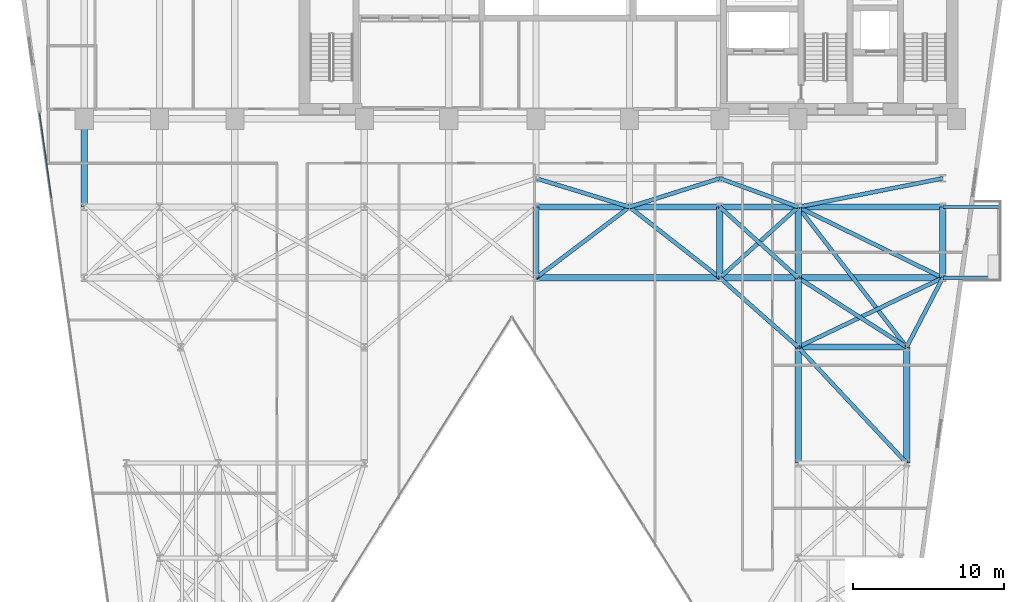
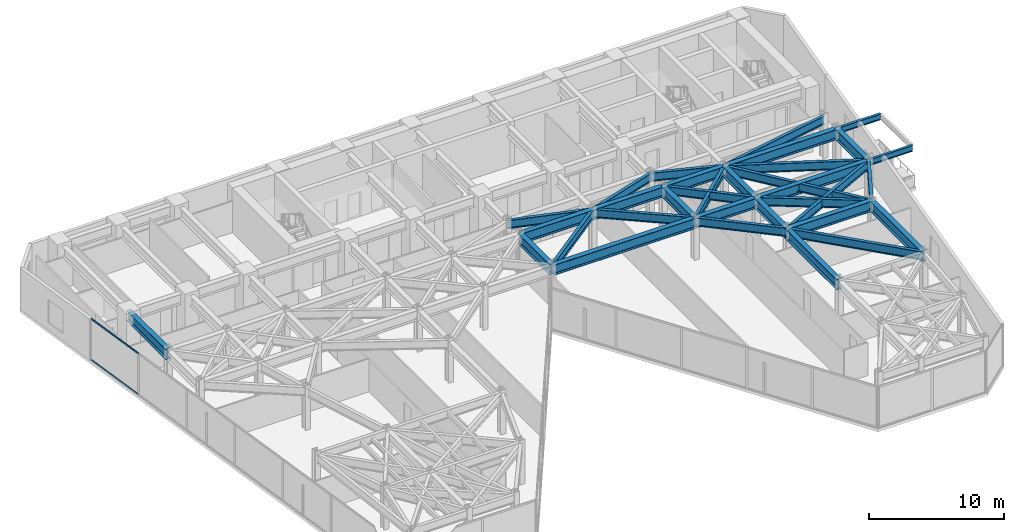
# One storey, part 16 of 24: 33 beams, 2 members, 1 element without a shape of its own.
"""IFC4 building model written with IfcOpenShell, lengths in metres."""

import ifcopenshell
import ifcopenshell.guid

model = None  # the IFC model being written
_history = None  # IfcOwnerHistory: only IFC2X3 demands one
_inside = {}  # id of a spatial element -> (the spatial element, [elements in it])
_under = {}  # id of a project, library or spatial element -> (it, [spatial elements below it])
_declared = {}  # id of a project -> (the project, [libraries it declares])
_typed = {}  # id of a type object -> (the type object, [elements of that type])
_made_of = {}  # id of a material, layer set ... -> (it, [elements and type objects made of it])


def new_model(schema):
    """Start an empty IFC model of exactly this schema.

    Asked for "IFC4X3", IfcOpenShell would pick the latest addendum, in which some entities
    have other attributes; the version numbers below select the first issue.
    IFC2X3 requires an IfcOwnerHistory on every rooted entity: one is made here for all.
    """
    global model, _history
    if schema == "IFC4X3":
        model = ifcopenshell.file(schema_version=(4, 3, 0, 0))
    else:
        model = ifcopenshell.file(schema=schema)
    _inside.clear()
    _under.clear()
    _declared.clear()
    _typed.clear()
    _made_of.clear()
    _history = None
    if model.schema == "IFC2X3":
        org = make("IfcOrganization", Name="unknown")
        user = make(
            "IfcPersonAndOrganization",
            ThePerson=make("IfcPerson", FamilyName="unknown"),
            TheOrganization=org,
        )
        app = make(
            "IfcApplication",
            ApplicationDeveloper=org,
            Version="unknown",
            ApplicationFullName="unknown",
            ApplicationIdentifier="unknown",
        )
        _history = make(
            "IfcOwnerHistory",
            OwningUser=user,
            OwningApplication=app,
            ChangeAction="ADDED",
            CreationDate=0,
        )
    return model


def make(cls, **values):
    """One entity of the class cls with the attributes given. An attribute that is None is left unset."""
    return model.create_entity(
        cls, **{name: value for name, value in values.items() if value is not None}
    )


def rooted(cls, **values):
    """An entity with a GlobalId (a new one), such as an element, a storey or a relation."""
    return make(cls, GlobalId=ifcopenshell.guid.new(), OwnerHistory=_history, **values)


def si_unit(unit_type, name, prefix=None):
    """IfcSIUnit, for example si_unit("LENGTHUNIT", "METRE", prefix="MILLI")."""
    return make("IfcSIUnit", UnitType=unit_type, Prefix=prefix, Name=name)


def assignment(units):
    """IfcUnitAssignment: the units of a project."""
    return None if units is None else make("IfcUnitAssignment", Units=units)


def point(xyz):
    """IfcCartesianPoint."""
    return None if xyz is None else make("IfcCartesianPoint", Coordinates=xyz)


def direction(xyz):
    """IfcDirection."""
    return None if xyz is None else make("IfcDirection", DirectionRatios=xyz)


def frame(location, z_axis=None, x_axis=None):
    """IfcAxis2Placement3D, a coordinate frame: its origin and axes. An axis left out is left unset."""
    return make(
        "IfcAxis2Placement3D",
        Location=point(location),
        Axis=direction(z_axis),
        RefDirection=direction(x_axis),
    )


def frame_2d(location, x_axis=None):
    """IfcAxis2Placement2D, a coordinate frame in the plane: its origin and x axis."""
    return make(
        "IfcAxis2Placement2D", Location=point(location), RefDirection=direction(x_axis)
    )


def origin():
    """The frame at (0, 0, 0) with its axes left unset."""
    return frame((0.0, 0.0, 0.0))


def origin_2d():
    """The frame at (0, 0) in the plane with its x axis left unset."""
    return frame_2d((0.0, 0.0))


def place(relative_to, where):
    """IfcLocalPlacement: puts the frame where relative to a parent placement (None: the world)."""
    return make(
        "IfcLocalPlacement", PlacementRelTo=relative_to, RelativePlacement=where
    )


def context(
    kind, dimensions, precision=None, world=None, true_north=None, identifier=None
):
    """IfcGeometricRepresentationContext, for example the 3D "Model" context."""
    return make(
        "IfcGeometricRepresentationContext",
        ContextIdentifier=identifier,
        ContextType=kind,
        CoordinateSpaceDimension=dimensions,
        Precision=precision,
        WorldCoordinateSystem=world,
        TrueNorth=true_north,
    )


def subcontext(parent, identifier, kind, view, scale=None):
    """IfcGeometricRepresentationSubContext, for example "Body" below "Model"."""
    return make(
        "IfcGeometricRepresentationSubContext",
        ContextIdentifier=identifier,
        ContextType=kind,
        ParentContext=parent,
        TargetScale=scale,
        TargetView=view,
    )


def project(units=None, contexts=None):
    """IfcProject with its units and contexts."""
    return rooted(
        "IfcProject",
        Name="project",
        RepresentationContexts=contexts,
        UnitsInContext=assignment(units),
    )


def spatial(cls, under=None, at=None, **own):
    """A site, building, storey or space (cls), placed at a placement, below another one or the project."""
    s = rooted(cls, ObjectPlacement=at, **own)
    if under is not None:
        _under.setdefault(under.id(), (under, []))[1].append(s)
    return s


def profile(cls, at=None, kind="AREA", **sizes):
    """A parametric profile (cls). Its sizes go by their IFC names, for example OverallWidth=200.0."""
    return make(cls, ProfileType=kind, Position=at, **sizes)


def hollow_rectangle(**sizes):
    """IfcRectangleHollowProfileDef."""
    return profile("IfcRectangleHollowProfileDef", **sizes)


def i_section(**sizes):
    """IfcIShapeProfileDef."""
    return profile("IfcIShapeProfileDef", **sizes)


def extrude(swept, where, along, depth):
    """IfcExtrudedAreaSolid: the profile swept, set in the frame where, extruded along a direction by depth."""
    return make(
        "IfcExtrudedAreaSolid",
        SweptArea=swept,
        Position=where,
        ExtrudedDirection=direction(along),
        Depth=depth,
    )


def shape(context_of_items, identifier, shape_type, items):
    """IfcShapeRepresentation: the items that make up one representation, for example the "Body"."""
    return make(
        "IfcShapeRepresentation",
        ContextOfItems=context_of_items,
        RepresentationIdentifier=identifier,
        RepresentationType=shape_type,
        Items=items,
    )


def material(Name=None, Category=None):
    """IfcMaterial."""
    return make("IfcMaterial", Name=Name, Category=Category)


def layer(
    of_material, thickness, ventilated=None, Name=None, Category=None, Priority=None
):
    """IfcMaterialLayer: one layer of a wall or slab, of a material (None: an air gap)."""
    return make(
        "IfcMaterialLayer",
        Material=of_material,
        LayerThickness=thickness,
        IsVentilated=ventilated,
        Name=Name,
        Category=Category,
        Priority=Priority,
    )


def layer_set(layers, Name=None):
    """IfcMaterialLayerSet."""
    return make("IfcMaterialLayerSet", MaterialLayers=layers, LayerSetName=Name)


def material_profile(
    of_material, cross_section, Name=None, Category=None, Priority=None
):
    """IfcMaterialProfile: a cross section and its material."""
    return make(
        "IfcMaterialProfile",
        Name=Name,
        Material=of_material,
        Profile=cross_section,
        Priority=Priority,
        Category=Category,
    )


def profile_set(profiles, Name=None, composite=None):
    """IfcMaterialProfileSet."""
    return make(
        "IfcMaterialProfileSet",
        Name=Name,
        MaterialProfiles=profiles,
        CompositeProfile=composite,
    )


def made_of(thing, what):
    """Note that an element or type object is made of a material, layer set ...; save() writes the relation."""
    if what is not None:
        _made_of.setdefault(what.id(), (what, []))[1].append(thing)
    return thing


def type_object(cls, material=None, **own):
    """A type object (cls), such as IfcWallType, which elements share."""
    return made_of(rooted(cls, **own), material)


def element(
    cls,
    number,
    at=None,
    inside=None,
    cuts=None,
    type_object=None,
    material=None,
    context=None,
    identifier="Body",
    shape_type=None,
    held_by="IfcProductDefinitionShape",
    body=None,
    shapes=None,
    **own,
):
    """One element of the class cls, such as IfcWall. Its Tag is "e" and its number.

    at: its placement. inside: the storey or other place that contains it. cuts: it is an
    opening in that element (IfcRelVoidsElement). A single representation is given by context,
    identifier, shape_type and body (its items); several are given by shapes. held_by: the class
    of the entity that holds the representations. save() writes the other relations.
    """
    e = rooted(cls, Tag="e%d" % number, ObjectPlacement=at, **own)
    if body is not None:
        shapes = [shape(context, identifier, shape_type, body)]
    if shapes is not None:
        e.Representation = make(held_by, Representations=shapes)
    if inside is not None:
        _inside.setdefault(inside.id(), (inside, []))[1].append(e)
    if cuts is not None:
        rooted(
            "IfcRelVoidsElement", RelatingBuildingElement=cuts, RelatedOpeningElement=e
        )
    if type_object is not None:
        _typed.setdefault(type_object.id(), (type_object, []))[1].append(e)
    return made_of(e, material)


def aggregate(whole, parts):
    """IfcRelAggregates: a whole, such as a stair, and the parts it consists of."""
    return rooted("IfcRelAggregates", RelatingObject=whole, RelatedObjects=parts)


def save(model, path):
    """Write the relations noted so far, then the file.

    IfcRelAggregates (storeys below a building ...), IfcRelContainedInSpatialStructure (elements
    in a storey), IfcRelDefinesByType, IfcRelAssociatesMaterial and IfcRelDeclares: one each for
    every whole, place, type object, material and project.
    """
    for whole, parts in _under.values():
        aggregate(whole, parts)
    for where, things in _inside.values():
        rooted(
            "IfcRelContainedInSpatialStructure",
            RelatedElements=things,
            RelatingStructure=where,
        )
    for kind, things in _typed.values():
        rooted("IfcRelDefinesByType", RelatedObjects=things, RelatingType=kind)
    for what, things in _made_of.values():
        rooted("IfcRelAssociatesMaterial", RelatedObjects=things, RelatingMaterial=what)
    for by, libraries in _declared.values():
        rooted("IfcRelDeclares", RelatingContext=by, RelatedDefinitions=libraries)
    model.write(path)


model = new_model("IFC4")

# Units and contexts
model_context = context("Model", 3, precision=1e-05, world=origin(), true_north=direction((0.0, 1.0)))
body_context = subcontext(model_context, "Body", "Model", "MODEL_VIEW")
ifc_project = project(units=[si_unit("LENGTHUNIT", "METRE"), si_unit("AREAUNIT", "SQUARE_METRE"), si_unit("VOLUMEUNIT", "CUBIC_METRE"), si_unit("PLANEANGLEUNIT", "RADIAN"), si_unit("MASSUNIT", "GRAM", prefix="KILO")], contexts=[model_context])

# Site, building, storey
site_placement = place(None, origin())
site = spatial("IfcSite", under=ifc_project, at=site_placement, CompositionType="ELEMENT")
building_placement = place(site_placement, origin())
building = spatial("IfcBuilding", under=site, at=building_placement, Name="Kravanh Interchange Tower", CompositionType="ELEMENT")
storey_placement = place(building_placement, frame((0.0, 0.0, 69.5)))
storey = spatial("IfcBuildingStorey", under=building, at=storey_placement, Name="L16", CompositionType="ELEMENT", Elevation=69.5)

# Curtain wall, members
ifc_material_1 = material(Name="Anodised Bronze Aluminium", Category="aluminium")
ifc_layer = layer(ifc_material_1, 0.179931640625)
ifc_layer_set = layer_set([ifc_layer], Name="Unitised Curtain Wall System CW-Z1 Lower Office")
curtain_wall_type = type_object("IfcCurtainWallType", Name="Unitised Curtain Wall System CW-Z1 Lower Office", PredefinedType="NOTDEFINED", material=ifc_layer_set)
curtain_wall_placement = place(storey_placement, origin())
curtain_wall = element("IfcCurtainWall", 1, at=curtain_wall_placement, inside=storey, type_object=curtain_wall_type, Name="L16 Unitised Curtain Wall CW-L16-01", PredefinedType="NOTDEFINED")
ifc_material_2 = material(Name="Anodised Bronze Aluminium", Category="aluminium")
ifc_material_profile_1 = material_profile(ifc_material_2, hollow_rectangle(XDim=0.06005859375, YDim=0.139892578125, WallThickness=0.00390625, at=origin_2d()), Name="ALU60X140X4")
ifc_profile_set_1 = profile_set([ifc_material_profile_1], Name="Anodised Bronze Aluminium")
member_type = type_object("IfcMemberType", Name="Curtain Wall Transom ALU60X140X4 Bronze", PredefinedType="USERDEFINED", material=ifc_profile_set_1)
member_1_placement = place(storey_placement, frame((6.422607421875, 32.1240234375, 0.030029296875), z_axis=(-0.139193386559, 0.990265217575, 0.0), x_axis=(-0.990265217575, -0.139193386559, 0.0)))
member_1 = element("IfcMember", 2, at=member_1_placement, type_object=member_type, Name="CW-Z1 transom 6.1", ObjectType="TRANSOM", PredefinedType="USERDEFINED", context=body_context, shape_type="SweptSolid", body=[
    extrude(hollow_rectangle(XDim=0.06005859375, YDim=0.139892578125, WallThickness=0.00390625, at=origin_2d()), origin(), (0.0, 0.0, 1.0), 5.661865234375),
])
member_2_placement = place(storey_placement, frame((6.422607421875, 32.1240234375, 3.7099609375), z_axis=(-0.139193386559, 0.990265217575, 0.0), x_axis=(-0.990265217575, -0.139193386559, 0.0)))
member_2 = element("IfcMember", 3, at=member_2_placement, type_object=member_type, Name="CW-Z1 transom 6.2", ObjectType="TRANSOM", PredefinedType="USERDEFINED", context=body_context, shape_type="SweptSolid", body=[
    extrude(hollow_rectangle(XDim=0.06005859375, YDim=0.139892578125, WallThickness=0.00390625, at=origin_2d()), origin(), (0.0, 0.0, 1.0), 5.661865234375),
])
aggregate(curtain_wall, [member_1, member_2])

# Beams
ifc_material_3 = material(Name="Structural Steel S355", Category="steel")
ifc_material_profile_2 = material_profile(ifc_material_3, i_section(OverallWidth=0.41796875, OverallDepth=0.927001953125, WebThickness=0.019287109375, FlangeThickness=0.031982421875, FilletRadius=0.028076171875, at=origin_2d()), Name="W36X231")
ifc_profile_set_2 = profile_set([ifc_material_profile_2], Name="Structural Steel S355")
beam_type_1 = type_object("IfcBeamType", Name="Floor Beam W36X231 Structural Steel S355", PredefinedType="BEAM", material=ifc_profile_set_2)
beam_1_placement = place(storey_placement, frame((8.60009765625, 37.35009765625, 3.276611328125), z_axis=(0.0, -1.0, 0.0), x_axis=(1.0, 0.0, 0.0)))
element("IfcBeam", 4, at=beam_1_placement, inside=storey, type_object=beam_type_1, Name="L16 Primary Floor Girder 36", PredefinedType="BEAM", context=body_context, shape_type="SweptSolid", body=[
    extrude(i_section(OverallWidth=0.41796875, OverallDepth=0.927001953125, WebThickness=0.019287109375, FlangeThickness=0.031982421875, FilletRadius=0.028076171875, at=origin_2d()), origin(), (0.0, 0.0, 1.0), 5.85009765625),
])
for number, where, z_axis, x_axis, name in (
    (5, (56.0, 14.5, 3.276611328125), (0.0, 1.0, 0.0), (-1.0, 0.0, 0.0), "L16 Primary Floor Girder 44"),
    (6, (63.199951171875, 14.5, 3.276611328125), (0.0, 1.0, 0.0), (-1.0, 0.0, 0.0), "L16 Primary Floor Girder 47"),
):
    element("IfcBeam", number, at=place(storey_placement, frame(where, z_axis=z_axis, x_axis=x_axis)), inside=storey, type_object=beam_type_1, Name=name, PredefinedType="BEAM", context=body_context, shape_type="SweptSolid", body=[
        extrude(i_section(OverallWidth=0.41796875, OverallDepth=0.927001953125, WebThickness=0.019287109375, FlangeThickness=0.031982421875, FilletRadius=0.028076171875, at=origin_2d()), origin(), (0.0, 0.0, 1.0), 7.699951171875),
    ])
beam_2_placement = place(storey_placement, frame((56.0, 22.199951171875, 3.276611328125), z_axis=(0.0, 1.0, 0.0), x_axis=(-1.0, 0.0, 0.0)))
element("IfcBeam", 7, at=beam_2_placement, inside=storey, type_object=beam_type_1, Name="L16 Primary Floor Girder 58", PredefinedType="BEAM", context=body_context, shape_type="SweptSolid", body=[
    extrude(i_section(OverallWidth=0.41796875, OverallDepth=0.927001953125, WebThickness=0.019287109375, FlangeThickness=0.031982421875, FilletRadius=0.028076171875, at=origin_2d()), origin(), (0.0, 0.0, 1.0), 4.60009765625),
])
beam_3_placement = place(storey_placement, frame((56.0, 22.199951171875, 3.276611328125), z_axis=(1.0, 0.0, 0.0), x_axis=(0.0, 1.0, 0.0)))
element("IfcBeam", 8, at=beam_3_placement, inside=storey, type_object=beam_type_1, Name="L16 Primary Floor Girder 60", PredefinedType="BEAM", context=body_context, shape_type="SweptSolid", body=[
    extrude(i_section(OverallWidth=0.41796875, OverallDepth=0.927001953125, WebThickness=0.019287109375, FlangeThickness=0.031982421875, FilletRadius=0.028076171875, at=origin_2d()), origin(), (0.0, 0.0, 1.0), 7.199951171875),
])
beam_4_placement = place(storey_placement, frame((38.60009765625, 26.800048828125, 3.276611328125), z_axis=(0.0, 1.0, 0.0), x_axis=(-1.0, 0.0, 0.0)))
element("IfcBeam", 9, at=beam_4_placement, inside=storey, type_object=beam_type_1, Name="L16 Primary Floor Girder 86", PredefinedType="BEAM", context=body_context, shape_type="SweptSolid", body=[
    extrude(i_section(OverallWidth=0.41796875, OverallDepth=0.927001953125, WebThickness=0.019287109375, FlangeThickness=0.031982421875, FilletRadius=0.028076171875, at=origin_2d()), origin(), (0.0, 0.0, 1.0), 4.699951171875),
])
beam_5_placement = place(storey_placement, frame((38.60009765625, 26.800048828125, 3.276611328125), z_axis=(1.0, 0.0, 0.0), x_axis=(0.0, 1.0, 0.0)))
element("IfcBeam", 10, at=beam_5_placement, inside=storey, type_object=beam_type_1, Name="L16 Primary Floor Girder 89", PredefinedType="BEAM", context=body_context, shape_type="SweptSolid", body=[
    extrude(i_section(OverallWidth=0.41796875, OverallDepth=0.927001953125, WebThickness=0.019287109375, FlangeThickness=0.031982421875, FilletRadius=0.028076171875, at=origin_2d()), origin(), (0.0, 0.0, 1.0), 12.199951171875),
])
beam_6_placement = place(storey_placement, frame((50.800048828125, 26.800048828125, 3.276611328125), z_axis=(0.0, 1.0, 0.0), x_axis=(-1.0, 0.0, 0.0)))
element("IfcBeam", 11, at=beam_6_placement, inside=storey, type_object=beam_type_1, Name="L16 Primary Floor Girder 90", PredefinedType="BEAM", context=body_context, shape_type="SweptSolid", body=[
    extrude(i_section(OverallWidth=0.41796875, OverallDepth=0.927001953125, WebThickness=0.019287109375, FlangeThickness=0.031982421875, FilletRadius=0.028076171875, at=origin_2d()), origin(), (0.0, 0.0, 1.0), 4.699951171875),
])
beam_7_placement = place(storey_placement, frame((50.800048828125, 26.800048828125, 3.276611328125), z_axis=(1.0, 0.0, 0.0), x_axis=(0.0, 1.0, 0.0)))
element("IfcBeam", 12, at=beam_7_placement, inside=storey, type_object=beam_type_1, Name="L16 Primary Floor Girder 91", PredefinedType="BEAM", context=body_context, shape_type="SweptSolid", body=[
    extrude(i_section(OverallWidth=0.41796875, OverallDepth=0.927001953125, WebThickness=0.019287109375, FlangeThickness=0.031982421875, FilletRadius=0.028076171875, at=origin_2d()), origin(), (0.0, 0.0, 1.0), 5.199951171875),
])
beam_8_placement = place(storey_placement, frame((56.0, 26.800048828125, 3.276611328125), z_axis=(0.0, 1.0, 0.0), x_axis=(-1.0, 0.0, 0.0)))
element("IfcBeam", 13, at=beam_8_placement, inside=storey, type_object=beam_type_1, Name="L16 Primary Floor Girder 94", PredefinedType="BEAM", context=body_context, shape_type="SweptSolid", body=[
    extrude(i_section(OverallWidth=0.41796875, OverallDepth=0.927001953125, WebThickness=0.019287109375, FlangeThickness=0.031982421875, FilletRadius=0.028076171875, at=origin_2d()), origin(), (0.0, 0.0, 1.0), 4.699951171875),
])
beam_9_placement = place(storey_placement, frame((56.0, 26.800048828125, 3.276611328125), z_axis=(1.0, 0.0, 0.0), x_axis=(0.0, 1.0, 0.0)))
element("IfcBeam", 14, at=beam_9_placement, inside=storey, type_object=beam_type_1, Name="L16 Primary Floor Girder 97", PredefinedType="BEAM", context=body_context, shape_type="SweptSolid", body=[
    extrude(i_section(OverallWidth=0.41796875, OverallDepth=0.927001953125, WebThickness=0.019287109375, FlangeThickness=0.031982421875, FilletRadius=0.028076171875, at=origin_2d()), origin(), (0.0, 0.0, 1.0), 9.60009765625),
])
beam_10_placement = place(storey_placement, frame((65.60009765625, 26.800048828125, 3.276611328125), z_axis=(0.0, 1.0, 0.0), x_axis=(-1.0, 0.0, 0.0)))
element("IfcBeam", 15, at=beam_10_placement, inside=storey, type_object=beam_type_1, Name="L16 Primary Floor Girder 98", PredefinedType="BEAM", context=body_context, shape_type="SweptSolid", body=[
    extrude(i_section(OverallWidth=0.41796875, OverallDepth=0.927001953125, WebThickness=0.019287109375, FlangeThickness=0.031982421875, FilletRadius=0.028076171875, at=origin_2d()), origin(), (0.0, 0.0, 1.0), 4.699951171875),
])
beam_11_placement = place(storey_placement, frame((38.60009765625, 31.5, 3.276611328125), z_axis=(1.0, 0.0, 0.0), x_axis=(0.0, 1.0, 0.0)))
element("IfcBeam", 16, at=beam_11_placement, inside=storey, type_object=beam_type_1, Name="L16 Primary Floor Girder 111", PredefinedType="BEAM", context=body_context, shape_type="SweptSolid", body=[
    extrude(i_section(OverallWidth=0.41796875, OverallDepth=0.927001953125, WebThickness=0.019287109375, FlangeThickness=0.031982421875, FilletRadius=0.028076171875, at=origin_2d()), origin(), (0.0, 0.0, 1.0), 6.199951171875),
])
beam_12_placement = place(storey_placement, frame((44.800048828125, 31.5, 3.276611328125), z_axis=(1.0, 0.0, 0.0), x_axis=(0.0, 1.0, 0.0)))
element("IfcBeam", 17, at=beam_12_placement, inside=storey, type_object=beam_type_1, Name="L16 Primary Floor Girder 113", PredefinedType="BEAM", context=body_context, shape_type="SweptSolid", body=[
    extrude(i_section(OverallWidth=0.41796875, OverallDepth=0.927001953125, WebThickness=0.019287109375, FlangeThickness=0.031982421875, FilletRadius=0.028076171875, at=origin_2d()), origin(), (0.0, 0.0, 1.0), 6.0),
])
beam_13_placement = place(storey_placement, frame((50.800048828125, 31.5, 3.276611328125), z_axis=(1.0, 0.0, 0.0), x_axis=(0.0, 1.0, 0.0)))
element("IfcBeam", 18, at=beam_13_placement, inside=storey, type_object=beam_type_1, Name="L16 Primary Floor Girder 116", PredefinedType="BEAM", context=body_context, shape_type="SweptSolid", body=[
    extrude(i_section(OverallWidth=0.41796875, OverallDepth=0.927001953125, WebThickness=0.019287109375, FlangeThickness=0.031982421875, FilletRadius=0.028076171875, at=origin_2d()), origin(), (0.0, 0.0, 1.0), 5.199951171875),
])
beam_14_placement = place(storey_placement, frame((56.0, 31.5, 3.276611328125), z_axis=(1.0, 0.0, 0.0), x_axis=(0.0, 1.0, 0.0)))
element("IfcBeam", 19, at=beam_14_placement, inside=storey, type_object=beam_type_1, Name="L16 Primary Floor Girder 119", PredefinedType="BEAM", context=body_context, shape_type="SweptSolid", body=[
    extrude(i_section(OverallWidth=0.41796875, OverallDepth=0.927001953125, WebThickness=0.019287109375, FlangeThickness=0.031982421875, FilletRadius=0.028076171875, at=origin_2d()), origin(), (0.0, 0.0, 1.0), 9.60009765625),
])
ifc_material_4 = material(Name="Structural Steel S355", Category="steel")
ifc_material_profile_3 = material_profile(ifc_material_4, i_section(OverallWidth=0.2099609375, OverallDepth=0.537109375, WebThickness=0.010986328125, FlangeThickness=0.017333984375, FilletRadius=0.02001953125, at=origin_2d()), Name="W21X68")
ifc_profile_set_3 = profile_set([ifc_material_profile_3], Name="Structural Steel S355")
beam_type_2 = type_object("IfcBeamType", Name="Floor Spandrel W21X68 Structural Steel S355", PredefinedType="SPANDREL", material=ifc_profile_set_3)
for number, where, z_axis, x_axis, name in (
    (20, (65.60009765625, 26.800048828125, 3.471435546875), (1.0, 0.0, 0.0), (0.0, 1.0, 0.0), "L16 Balcony Cantilever Outrigger E1"),
    (21, (65.60009765625, 31.5, 3.471435546875), (1.0, 0.0, 0.0), (0.0, 1.0, 0.0), "L16 Balcony Cantilever Outrigger E2"),
):
    element("IfcBeam", number, at=place(storey_placement, frame(where, z_axis=z_axis, x_axis=x_axis)), inside=storey, type_object=beam_type_2, Name=name, PredefinedType="SPANDREL", context=body_context, shape_type="SweptSolid", body=[
        extrude(i_section(OverallWidth=0.2099609375, OverallDepth=0.537109375, WebThickness=0.010986328125, FlangeThickness=0.017333984375, FilletRadius=0.02001953125, at=origin_2d()), origin(), (0.0, 0.0, 1.0), 3.72998046875),
    ])
ifc_material_5 = material(Name="Structural Steel S355", Category="steel")
ifc_material_profile_4 = material_profile(ifc_material_5, i_section(OverallWidth=0.26708984375, OverallDepth=0.761962890625, WebThickness=0.014404296875, FlangeThickness=0.021484375, FilletRadius=0.02490234375, at=origin_2d()), Name="W30X116")
ifc_profile_set_4 = profile_set([ifc_material_profile_4], Name="Structural Steel S355")
beam_type_3 = type_object("IfcBeamType", Name="Floor Spandrel W30X116 Structural Steel S355", PredefinedType="SPANDREL", material=ifc_profile_set_4)
beam_15_placement = place(storey_placement, frame((63.199951171875, 14.5, 3.35888671875), z_axis=(-0.682993762113, 0.73042420614, 0.0), x_axis=(-0.73042420614, -0.682993762113, 0.0)))
element("IfcBeam", 22, at=beam_15_placement, inside=storey, type_object=beam_type_3, Name="L16 Perimeter Spandrel 49", PredefinedType="SPANDREL", context=body_context, shape_type="SweptSolid", body=[
    extrude(i_section(OverallWidth=0.26708984375, OverallDepth=0.761962890625, WebThickness=0.014404296875, FlangeThickness=0.021484375, FilletRadius=0.02490234375, at=origin_2d()), origin(), (0.0, 0.0, 1.0), 10.541748046875),
])
beam_16_placement = place(storey_placement, frame((56.0, 22.199951171875, 3.35888671875), z_axis=(-0.74898649432, 0.662585263439, 0.0), x_axis=(-0.662585263439, -0.74898649432, 0.0)))
element("IfcBeam", 23, at=beam_16_placement, inside=storey, type_object=beam_type_3, Name="L16 Perimeter Spandrel 59", PredefinedType="SPANDREL", context=body_context, shape_type="SweptSolid", body=[
    extrude(i_section(OverallWidth=0.26708984375, OverallDepth=0.761962890625, WebThickness=0.014404296875, FlangeThickness=0.021484375, FilletRadius=0.02490234375, at=origin_2d()), origin(), (0.0, 0.0, 1.0), 6.942626953125),
])
beam_17_placement = place(storey_placement, frame((56.0, 22.199951171875, 3.35888671875), z_axis=(0.901814166789, 0.432124066188, 0.0), x_axis=(-0.432124066188, 0.901814166789, 0.0)))
element("IfcBeam", 24, at=beam_17_placement, inside=storey, type_object=beam_type_3, Name="L16 Perimeter Spandrel 61", PredefinedType="SPANDREL", context=body_context, shape_type="SweptSolid", body=[
    extrude(i_section(OverallWidth=0.26708984375, OverallDepth=0.761962890625, WebThickness=0.014404296875, FlangeThickness=0.021484375, FilletRadius=0.02490234375, at=origin_2d()), origin(), (0.0, 0.0, 1.0), 10.645263671875),
])
beam_18_placement = place(storey_placement, frame((63.199951171875, 22.199951171875, 3.35888671875), z_axis=(0.462580479178, 0.886577295155, 0.0), x_axis=(-0.886577295155, 0.462580479178, 0.0)))
element("IfcBeam", 25, at=beam_18_placement, inside=storey, type_object=beam_type_3, Name="L16 Perimeter Spandrel 62", PredefinedType="SPANDREL", context=body_context, shape_type="SweptSolid", body=[
    extrude(i_section(OverallWidth=0.26708984375, OverallDepth=0.761962890625, WebThickness=0.014404296875, FlangeThickness=0.021484375, FilletRadius=0.02490234375, at=origin_2d()), origin(), (0.0, 0.0, 1.0), 5.188720703125),
])
beam_19_placement = place(storey_placement, frame((63.199951171875, 22.199951171875, 3.35888671875), z_axis=(-0.842689417531, 0.53839998661, 0.0), x_axis=(-0.53839998661, -0.842689417531, 0.0)))
element("IfcBeam", 26, at=beam_19_placement, inside=storey, type_object=beam_type_3, Name="L16 Perimeter Spandrel 63", PredefinedType="SPANDREL", context=body_context, shape_type="SweptSolid", body=[
    extrude(i_section(OverallWidth=0.26708984375, OverallDepth=0.761962890625, WebThickness=0.014404296875, FlangeThickness=0.021484375, FilletRadius=0.02490234375, at=origin_2d()), origin(), (0.0, 0.0, 1.0), 8.5439453125),
])
beam_20_placement = place(storey_placement, frame((63.199951171875, 22.199951171875, 3.35888671875), z_axis=(-0.612168587637, 0.790727273028, 0.0), x_axis=(-0.790727273028, -0.612168587637, 0.0)))
element("IfcBeam", 27, at=beam_20_placement, inside=storey, type_object=beam_type_3, Name="L16 Perimeter Spandrel 65", PredefinedType="SPANDREL", context=body_context, shape_type="SweptSolid", body=[
    extrude(i_section(OverallWidth=0.26708984375, OverallDepth=0.761962890625, WebThickness=0.014404296875, FlangeThickness=0.021484375, FilletRadius=0.02490234375, at=origin_2d()), origin(), (0.0, 0.0, 1.0), 11.761474609375),
])
beam_21_placement = place(storey_placement, frame((38.60009765625, 26.800048828125, 3.35888671875), z_axis=(0.796905365509, 0.604104161898, 0.0), x_axis=(-0.604104161898, 0.796905365509, 0.0)))
element("IfcBeam", 28, at=beam_21_placement, inside=storey, type_object=beam_type_3, Name="L16 Perimeter Spandrel 88", PredefinedType="SPANDREL", context=body_context, shape_type="SweptSolid", body=[
    extrude(i_section(OverallWidth=0.26708984375, OverallDepth=0.761962890625, WebThickness=0.014404296875, FlangeThickness=0.021484375, FilletRadius=0.02490234375, at=origin_2d()), origin(), (0.0, 0.0, 1.0), 7.780029296875),
])
beam_22_placement = place(storey_placement, frame((50.800048828125, 26.800048828125, 3.35888671875), z_axis=(0.741874009795, 0.670539300557, 0.0), x_axis=(-0.670539300557, 0.741874009795, 0.0)))
element("IfcBeam", 29, at=beam_22_placement, inside=storey, type_object=beam_type_3, Name="L16 Perimeter Spandrel 92", PredefinedType="SPANDREL", context=body_context, shape_type="SweptSolid", body=[
    extrude(i_section(OverallWidth=0.26708984375, OverallDepth=0.761962890625, WebThickness=0.014404296875, FlangeThickness=0.021484375, FilletRadius=0.02490234375, at=origin_2d()), origin(), (0.0, 0.0, 1.0), 7.00927734375),
])
beam_23_placement = place(storey_placement, frame((50.800048828125, 26.800048828125, 3.35888671875), z_axis=(-0.787231163579, 0.616658004967, 0.0), x_axis=(-0.616658004967, -0.787231163579, 0.0)))
element("IfcBeam", 30, at=beam_23_placement, inside=storey, type_object=beam_type_3, Name="L16 Perimeter Spandrel 93", PredefinedType="SPANDREL", context=body_context, shape_type="SweptSolid", body=[
    extrude(i_section(OverallWidth=0.26708984375, OverallDepth=0.761962890625, WebThickness=0.014404296875, FlangeThickness=0.021484375, FilletRadius=0.02490234375, at=origin_2d()), origin(), (0.0, 0.0, 1.0), 7.62158203125),
])
beam_24_placement = place(storey_placement, frame((56.0, 26.800048828125, 3.35888671875), z_axis=(-0.741874009795, 0.670539300557, 0.0), x_axis=(-0.670539300557, -0.741874009795, 0.0)))
element("IfcBeam", 31, at=beam_24_placement, inside=storey, type_object=beam_type_3, Name="L16 Perimeter Spandrel 95", PredefinedType="SPANDREL", context=body_context, shape_type="SweptSolid", body=[
    extrude(i_section(OverallWidth=0.26708984375, OverallDepth=0.761962890625, WebThickness=0.014404296875, FlangeThickness=0.021484375, FilletRadius=0.02490234375, at=origin_2d()), origin(), (0.0, 0.0, 1.0), 7.00927734375),
])
beam_25_placement = place(storey_placement, frame((65.60009765625, 26.800048828125, 3.35888671875), z_axis=(-0.898141688387, 0.439706160499, 0.0), x_axis=(-0.439706160499, -0.898141688387, 0.0)))
element("IfcBeam", 32, at=beam_25_placement, inside=storey, type_object=beam_type_3, Name="L16 Perimeter Spandrel 99", PredefinedType="SPANDREL", context=body_context, shape_type="SweptSolid", body=[
    extrude(i_section(OverallWidth=0.26708984375, OverallDepth=0.761962890625, WebThickness=0.014404296875, FlangeThickness=0.021484375, FilletRadius=0.02490234375, at=origin_2d()), origin(), (0.0, 0.0, 1.0), 10.68896484375),
])
beam_26_placement = place(storey_placement, frame((44.800048828125, 31.5, 3.35888671875), z_axis=(0.953346691051, 0.301877602122, 0.0), x_axis=(-0.301877602122, 0.953346691051, 0.0)))
element("IfcBeam", 33, at=beam_26_placement, inside=storey, type_object=beam_type_3, Name="L16 Perimeter Spandrel 114", PredefinedType="SPANDREL", context=body_context, shape_type="SweptSolid", body=[
    extrude(i_section(OverallWidth=0.26708984375, OverallDepth=0.761962890625, WebThickness=0.014404296875, FlangeThickness=0.021484375, FilletRadius=0.02490234375, at=origin_2d()), origin(), (0.0, 0.0, 1.0), 6.293701171875),
])
beam_27_placement = place(storey_placement, frame((44.800048828125, 31.5, 3.35888671875), z_axis=(-0.956115397264, 0.292990353279, 0.0), x_axis=(-0.292990353279, -0.956115397264, 0.0)))
element("IfcBeam", 34, at=beam_27_placement, inside=storey, type_object=beam_type_3, Name="L16 Perimeter Spandrel 115", PredefinedType="SPANDREL", context=body_context, shape_type="SweptSolid", body=[
    extrude(i_section(OverallWidth=0.26708984375, OverallDepth=0.761962890625, WebThickness=0.014404296875, FlangeThickness=0.021484375, FilletRadius=0.02490234375, at=origin_2d()), origin(), (0.0, 0.0, 1.0), 6.484619140625),
])
beam_28_placement = place(storey_placement, frame((56.0, 31.5, 3.35888671875), z_axis=(-0.93926957103, 0.343180233896, 0.0), x_axis=(-0.343180233896, -0.93926957103, 0.0)))
element("IfcBeam", 35, at=beam_28_placement, inside=storey, type_object=beam_type_3, Name="L16 Perimeter Spandrel 118", PredefinedType="SPANDREL", context=body_context, shape_type="SweptSolid", body=[
    extrude(i_section(OverallWidth=0.26708984375, OverallDepth=0.761962890625, WebThickness=0.014404296875, FlangeThickness=0.021484375, FilletRadius=0.02490234375, at=origin_2d()), origin(), (0.0, 0.0, 1.0), 5.5361328125),
])
beam_29_placement = place(storey_placement, frame((56.0, 31.5, 3.35888671875), z_axis=(0.980974000807, 0.194139150457, 0.0), x_axis=(-0.194139150457, 0.980974000807, 0.0)))
element("IfcBeam", 36, at=beam_29_placement, inside=storey, type_object=beam_type_3, Name="L16 Perimeter Spandrel 120", PredefinedType="SPANDREL", context=body_context, shape_type="SweptSolid", body=[
    extrude(i_section(OverallWidth=0.26708984375, OverallDepth=0.761962890625, WebThickness=0.014404296875, FlangeThickness=0.021484375, FilletRadius=0.02490234375, at=origin_2d()), origin(), (0.0, 0.0, 1.0), 9.786376953125),
])

save(model, "model.ifc")
